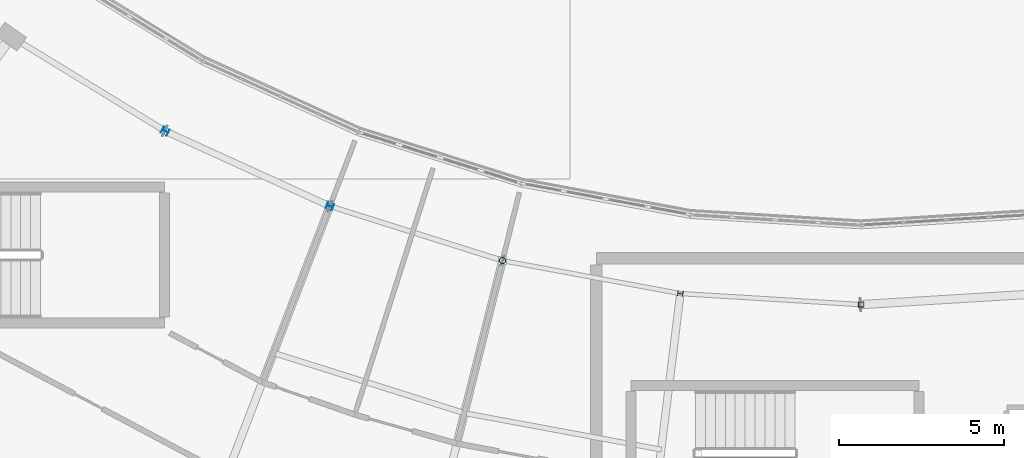
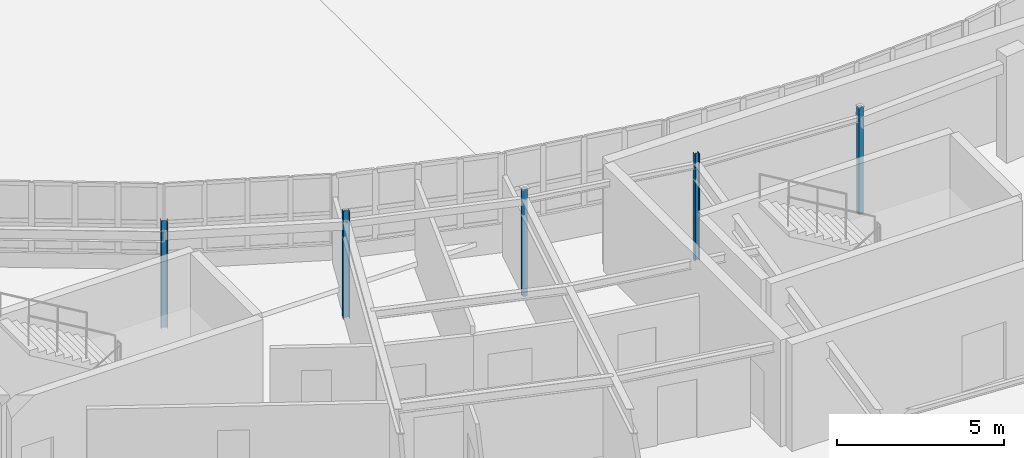
# One storey, part 4 of 128: 5 columns.
"""IFC4 building model written with IfcOpenShell, lengths in metres."""

import ifcopenshell
import ifcopenshell.guid

model = None  # the IFC model being written
_history = None  # IfcOwnerHistory: only IFC2X3 demands one
_inside = {}  # id of a spatial element -> (the spatial element, [elements in it])
_under = {}  # id of a project, library or spatial element -> (it, [spatial elements below it])
_declared = {}  # id of a project -> (the project, [libraries it declares])
_typed = {}  # id of a type object -> (the type object, [elements of that type])
_made_of = {}  # id of a material, layer set ... -> (it, [elements and type objects made of it])


def new_model(schema):
    """Start an empty IFC model of exactly this schema.

    Asked for "IFC4X3", IfcOpenShell would pick the latest addendum, in which some entities
    have other attributes; the version numbers below select the first issue.
    IFC2X3 requires an IfcOwnerHistory on every rooted entity: one is made here for all.
    """
    global model, _history
    if schema == "IFC4X3":
        model = ifcopenshell.file(schema_version=(4, 3, 0, 0))
    else:
        model = ifcopenshell.file(schema=schema)
    _inside.clear()
    _under.clear()
    _declared.clear()
    _typed.clear()
    _made_of.clear()
    _history = None
    if model.schema == "IFC2X3":
        org = make("IfcOrganization", Name="unknown")
        user = make(
            "IfcPersonAndOrganization",
            ThePerson=make("IfcPerson", FamilyName="unknown"),
            TheOrganization=org,
        )
        app = make(
            "IfcApplication",
            ApplicationDeveloper=org,
            Version="unknown",
            ApplicationFullName="unknown",
            ApplicationIdentifier="unknown",
        )
        _history = make(
            "IfcOwnerHistory",
            OwningUser=user,
            OwningApplication=app,
            ChangeAction="ADDED",
            CreationDate=0,
        )
    return model


def make(cls, **values):
    """One entity of the class cls with the attributes given. An attribute that is None is left unset."""
    return model.create_entity(
        cls, **{name: value for name, value in values.items() if value is not None}
    )


def rooted(cls, **values):
    """An entity with a GlobalId (a new one), such as an element, a storey or a relation."""
    return make(cls, GlobalId=ifcopenshell.guid.new(), OwnerHistory=_history, **values)


def si_unit(unit_type, name, prefix=None):
    """IfcSIUnit, for example si_unit("LENGTHUNIT", "METRE", prefix="MILLI")."""
    return make("IfcSIUnit", UnitType=unit_type, Prefix=prefix, Name=name)


def assignment(units):
    """IfcUnitAssignment: the units of a project."""
    return None if units is None else make("IfcUnitAssignment", Units=units)


def point(xyz):
    """IfcCartesianPoint."""
    return None if xyz is None else make("IfcCartesianPoint", Coordinates=xyz)


def direction(xyz):
    """IfcDirection."""
    return None if xyz is None else make("IfcDirection", DirectionRatios=xyz)


def frame(location, z_axis=None, x_axis=None):
    """IfcAxis2Placement3D, a coordinate frame: its origin and axes. An axis left out is left unset."""
    return make(
        "IfcAxis2Placement3D",
        Location=point(location),
        Axis=direction(z_axis),
        RefDirection=direction(x_axis),
    )


def frame_2d(location, x_axis=None):
    """IfcAxis2Placement2D, a coordinate frame in the plane: its origin and x axis."""
    return make(
        "IfcAxis2Placement2D", Location=point(location), RefDirection=direction(x_axis)
    )


def origin():
    """The frame at (0, 0, 0) with its axes left unset."""
    return frame((0.0, 0.0, 0.0))


def origin_2d():
    """The frame at (0, 0) in the plane with its x axis left unset."""
    return frame_2d((0.0, 0.0))


def place(relative_to, where):
    """IfcLocalPlacement: puts the frame where relative to a parent placement (None: the world)."""
    return make(
        "IfcLocalPlacement", PlacementRelTo=relative_to, RelativePlacement=where
    )


def context(
    kind, dimensions, precision=None, world=None, true_north=None, identifier=None
):
    """IfcGeometricRepresentationContext, for example the 3D "Model" context."""
    return make(
        "IfcGeometricRepresentationContext",
        ContextIdentifier=identifier,
        ContextType=kind,
        CoordinateSpaceDimension=dimensions,
        Precision=precision,
        WorldCoordinateSystem=world,
        TrueNorth=true_north,
    )


def subcontext(parent, identifier, kind, view, scale=None):
    """IfcGeometricRepresentationSubContext, for example "Body" below "Model"."""
    return make(
        "IfcGeometricRepresentationSubContext",
        ContextIdentifier=identifier,
        ContextType=kind,
        ParentContext=parent,
        TargetScale=scale,
        TargetView=view,
    )


def project(units=None, contexts=None):
    """IfcProject with its units and contexts."""
    return rooted(
        "IfcProject",
        Name="project",
        RepresentationContexts=contexts,
        UnitsInContext=assignment(units),
    )


def spatial(cls, under=None, at=None, **own):
    """A site, building, storey or space (cls), placed at a placement, below another one or the project."""
    s = rooted(cls, ObjectPlacement=at, **own)
    if under is not None:
        _under.setdefault(under.id(), (under, []))[1].append(s)
    return s


def profile(cls, at=None, kind="AREA", **sizes):
    """A parametric profile (cls). Its sizes go by their IFC names, for example OverallWidth=200.0."""
    return make(cls, ProfileType=kind, Position=at, **sizes)


def hollow_rectangle(**sizes):
    """IfcRectangleHollowProfileDef."""
    return profile("IfcRectangleHollowProfileDef", **sizes)


def hollow_circle(**sizes):
    """IfcCircleHollowProfileDef."""
    return profile("IfcCircleHollowProfileDef", **sizes)


def i_section(**sizes):
    """IfcIShapeProfileDef."""
    return profile("IfcIShapeProfileDef", **sizes)


def extrude(swept, where, along, depth):
    """IfcExtrudedAreaSolid: the profile swept, set in the frame where, extruded along a direction by depth."""
    return make(
        "IfcExtrudedAreaSolid",
        SweptArea=swept,
        Position=where,
        ExtrudedDirection=direction(along),
        Depth=depth,
    )


def shape(context_of_items, identifier, shape_type, items):
    """IfcShapeRepresentation: the items that make up one representation, for example the "Body"."""
    return make(
        "IfcShapeRepresentation",
        ContextOfItems=context_of_items,
        RepresentationIdentifier=identifier,
        RepresentationType=shape_type,
        Items=items,
    )


def material(Name=None, Category=None):
    """IfcMaterial."""
    return make("IfcMaterial", Name=Name, Category=Category)


def material_profile(
    of_material, cross_section, Name=None, Category=None, Priority=None
):
    """IfcMaterialProfile: a cross section and its material."""
    return make(
        "IfcMaterialProfile",
        Name=Name,
        Material=of_material,
        Profile=cross_section,
        Priority=Priority,
        Category=Category,
    )


def profile_set(profiles, Name=None, composite=None):
    """IfcMaterialProfileSet."""
    return make(
        "IfcMaterialProfileSet",
        Name=Name,
        MaterialProfiles=profiles,
        CompositeProfile=composite,
    )


def made_of(thing, what):
    """Note that an element or type object is made of a material, layer set ...; save() writes the relation."""
    if what is not None:
        _made_of.setdefault(what.id(), (what, []))[1].append(thing)
    return thing


def type_object(cls, material=None, **own):
    """A type object (cls), such as IfcWallType, which elements share."""
    return made_of(rooted(cls, **own), material)


def element(
    cls,
    number,
    at=None,
    inside=None,
    cuts=None,
    type_object=None,
    material=None,
    context=None,
    identifier="Body",
    shape_type=None,
    held_by="IfcProductDefinitionShape",
    body=None,
    shapes=None,
    **own,
):
    """One element of the class cls, such as IfcWall. Its Tag is "e" and its number.

    at: its placement. inside: the storey or other place that contains it. cuts: it is an
    opening in that element (IfcRelVoidsElement). A single representation is given by context,
    identifier, shape_type and body (its items); several are given by shapes. held_by: the class
    of the entity that holds the representations. save() writes the other relations.
    """
    e = rooted(cls, Tag="e%d" % number, ObjectPlacement=at, **own)
    if body is not None:
        shapes = [shape(context, identifier, shape_type, body)]
    if shapes is not None:
        e.Representation = make(held_by, Representations=shapes)
    if inside is not None:
        _inside.setdefault(inside.id(), (inside, []))[1].append(e)
    if cuts is not None:
        rooted(
            "IfcRelVoidsElement", RelatingBuildingElement=cuts, RelatedOpeningElement=e
        )
    if type_object is not None:
        _typed.setdefault(type_object.id(), (type_object, []))[1].append(e)
    return made_of(e, material)


def aggregate(whole, parts):
    """IfcRelAggregates: a whole, such as a stair, and the parts it consists of."""
    return rooted("IfcRelAggregates", RelatingObject=whole, RelatedObjects=parts)


def save(model, path):
    """Write the relations noted so far, then the file.

    IfcRelAggregates (storeys below a building ...), IfcRelContainedInSpatialStructure (elements
    in a storey), IfcRelDefinesByType, IfcRelAssociatesMaterial and IfcRelDeclares: one each for
    every whole, place, type object, material and project.
    """
    for whole, parts in _under.values():
        aggregate(whole, parts)
    for where, things in _inside.values():
        rooted(
            "IfcRelContainedInSpatialStructure",
            RelatedElements=things,
            RelatingStructure=where,
        )
    for kind, things in _typed.values():
        rooted("IfcRelDefinesByType", RelatedObjects=things, RelatingType=kind)
    for what, things in _made_of.values():
        rooted("IfcRelAssociatesMaterial", RelatedObjects=things, RelatingMaterial=what)
    for by, libraries in _declared.values():
        rooted("IfcRelDeclares", RelatingContext=by, RelatedDefinitions=libraries)
    model.write(path)


model = new_model("IFC4")

# Units and contexts
model_context = context("Model", 3, precision=1e-05, world=origin(), true_north=direction((0.0, 1.0)))
body_context = subcontext(model_context, "Body", "Model", "MODEL_VIEW")
ifc_project = project(units=[si_unit("LENGTHUNIT", "METRE"), si_unit("AREAUNIT", "SQUARE_METRE"), si_unit("VOLUMEUNIT", "CUBIC_METRE"), si_unit("PLANEANGLEUNIT", "RADIAN"), si_unit("MASSUNIT", "GRAM", prefix="KILO")], contexts=[model_context])

# Site, building, storey
site_placement = place(None, origin())
site = spatial("IfcSite", under=ifc_project, at=site_placement, CompositionType="ELEMENT")
building_placement = place(site_placement, origin())
building = spatial("IfcBuilding", under=site, at=building_placement, Name="Tarnwether General Hospital", CompositionType="ELEMENT")
storey_placement = place(building_placement, frame((0.0, 0.0, 14.39990234375)))
storey = spatial("IfcBuildingStorey", under=building, at=storey_placement, Name="L03", CompositionType="ELEMENT", Elevation=14.39990234375)

# Columns
ifc_material_1 = material(Name="Steel Grade 350 (350 MPa)", Category="steel")
ifc_material_profile_1 = material_profile(ifc_material_1, i_section(OverallWidth=0.205078125, OverallDepth=0.2099609375, WebThickness=0.00927734375, FlangeThickness=0.01416015625, at=origin_2d()), Name="200UC59.5")
ifc_profile_set_1 = profile_set([ifc_material_profile_1], Name="Steel Grade 350 (350 MPa)")
column_type_1 = type_object("IfcColumnType", Name="COL-25", PredefinedType="COLUMN", material=ifc_profile_set_1)
column_1_placement = place(storey_placement, frame((70.968017578125, 23.444091796875, 0.0), z_axis=(0.0, 0.0, 1.0), x_axis=(0.469471562786, 0.882947592859, 0.0)))
element("IfcColumn", 1, at=column_1_placement, inside=storey, type_object=column_type_1, Name="Column COLG-L03-7097_2344", PredefinedType="COLUMN", context=body_context, shape_type="SweptSolid", body=[
    extrude(i_section(OverallWidth=0.205078125, OverallDepth=0.2099609375, WebThickness=0.00927734375, FlangeThickness=0.01416015625, at=origin_2d()), origin(), (0.0, 0.0, 1.0), 3.900146484375),
])
ifc_material_2 = material(Name="Steel Grade 350 (350 MPa)", Category="steel")
ifc_material_profile_2 = material_profile(ifc_material_2, i_section(OverallWidth=0.202880859375, OverallDepth=0.202880859375, WebThickness=0.00732421875, FlangeThickness=0.010986328125, at=origin_2d()), Name="200UC46.2")
ifc_profile_set_2 = profile_set([ifc_material_profile_2], Name="Steel Grade 350 (350 MPa)")
column_type_2 = type_object("IfcColumnType", Name="COL-27", PredefinedType="COLUMN", material=ifc_profile_set_2)
column_2_placement = place(storey_placement, frame((75.945068359375, 21.176025390625, 0.0), z_axis=(0.0, 0.0, 1.0), x_axis=(0.358367949545, 0.933580426497, 0.0)))
element("IfcColumn", 2, at=column_2_placement, inside=storey, type_object=column_type_2, Name="Column COLG-L03-7594_2118", PredefinedType="COLUMN", context=body_context, shape_type="SweptSolid", body=[
    extrude(i_section(OverallWidth=0.202880859375, OverallDepth=0.202880859375, WebThickness=0.00732421875, FlangeThickness=0.010986328125, at=origin_2d()), origin(), (0.0, 0.0, 1.0), 3.900146484375),
])
ifc_material_3 = material(Name="Steel Grade C350L0 (350 MPa)", Category="steel")
ifc_material_profile_3 = material_profile(ifc_material_3, hollow_circle(Radius=0.096923828125, WallThickness=0.008056640625, at=origin_2d()), Name="CHS193.7x8.0")
ifc_profile_set_3 = profile_set([ifc_material_profile_3], Name="Steel Grade C350L0 (350 MPa)")
column_type_3 = type_object("IfcColumnType", Name="COL-29", PredefinedType="COLUMN", material=ifc_profile_set_3)
column_3_placement = place(storey_placement, frame((81.162109375, 19.531005859375, 0.0), z_axis=(0.0, 0.0, 1.0), x_axis=(0.2419218956, 0.970295726276, 0.0)))
element("IfcColumn", 3, at=column_3_placement, inside=storey, type_object=column_type_3, Name="Column COLG-L03-8116_1953", PredefinedType="COLUMN", context=body_context, shape_type="SweptSolid", body=[
    extrude(hollow_circle(Radius=0.096923828125, WallThickness=0.008056640625, at=origin_2d()), origin(), (0.0, 0.0, 1.0), 3.900146484375),
])
ifc_material_4 = material(Name="Steel Grade 350 (350 MPa)", Category="steel")
ifc_material_profile_4 = material_profile(ifc_material_4, i_section(OverallWidth=0.153076171875, OverallDepth=0.157958984375, WebThickness=0.006591796875, FlangeThickness=0.009521484375, at=origin_2d()), Name="150UC30.0")
ifc_profile_set_4 = profile_set([ifc_material_profile_4], Name="Steel Grade 350 (350 MPa)")
column_type_4 = type_object("IfcColumnType", Name="COL-31", PredefinedType="COLUMN", material=ifc_profile_set_4)
column_4_placement = place(storey_placement, frame((86.5400390625, 18.533935546875, 0.0), z_axis=(0.0, 0.0, 1.0), x_axis=(0.121869343405, 0.992546151641, 0.0)))
element("IfcColumn", 4, at=column_4_placement, inside=storey, type_object=column_type_4, Name="Column COLG-L03-8654_1853", PredefinedType="COLUMN", context=body_context, shape_type="SweptSolid", body=[
    extrude(i_section(OverallWidth=0.153076171875, OverallDepth=0.157958984375, WebThickness=0.006591796875, FlangeThickness=0.009521484375, at=origin_2d()), origin(), (0.0, 0.0, 1.0), 3.900146484375),
])
ifc_material_5 = material(Name="Steel Grade C350L0 (350 MPa)", Category="steel")
ifc_material_profile_5 = material_profile(ifc_material_5, hollow_rectangle(XDim=0.14990234375, YDim=0.14990234375, WallThickness=0.008056640625, at=origin_2d()), Name="SHS150x150x8")
ifc_profile_set_5 = profile_set([ifc_material_profile_5], Name="Steel Grade C350L0 (350 MPa)")
column_type_5 = type_object("IfcColumnType", Name="COL-33", PredefinedType="COLUMN", material=ifc_profile_set_5)
column_5_placement = place(storey_placement, frame((92.0, 18.199951171875, 0.0), z_axis=(0.0, 0.0, 1.0), x_axis=(0.0, 1.0, 0.0)))
element("IfcColumn", 5, at=column_5_placement, inside=storey, type_object=column_type_5, Name="Column COLG-L03-9200_1820", PredefinedType="COLUMN", context=body_context, shape_type="SweptSolid", body=[
    extrude(hollow_rectangle(XDim=0.14990234375, YDim=0.14990234375, WallThickness=0.008056640625, at=origin_2d()), origin(), (0.0, 0.0, 1.0), 3.900146484375),
])

save(model, "model.ifc")
